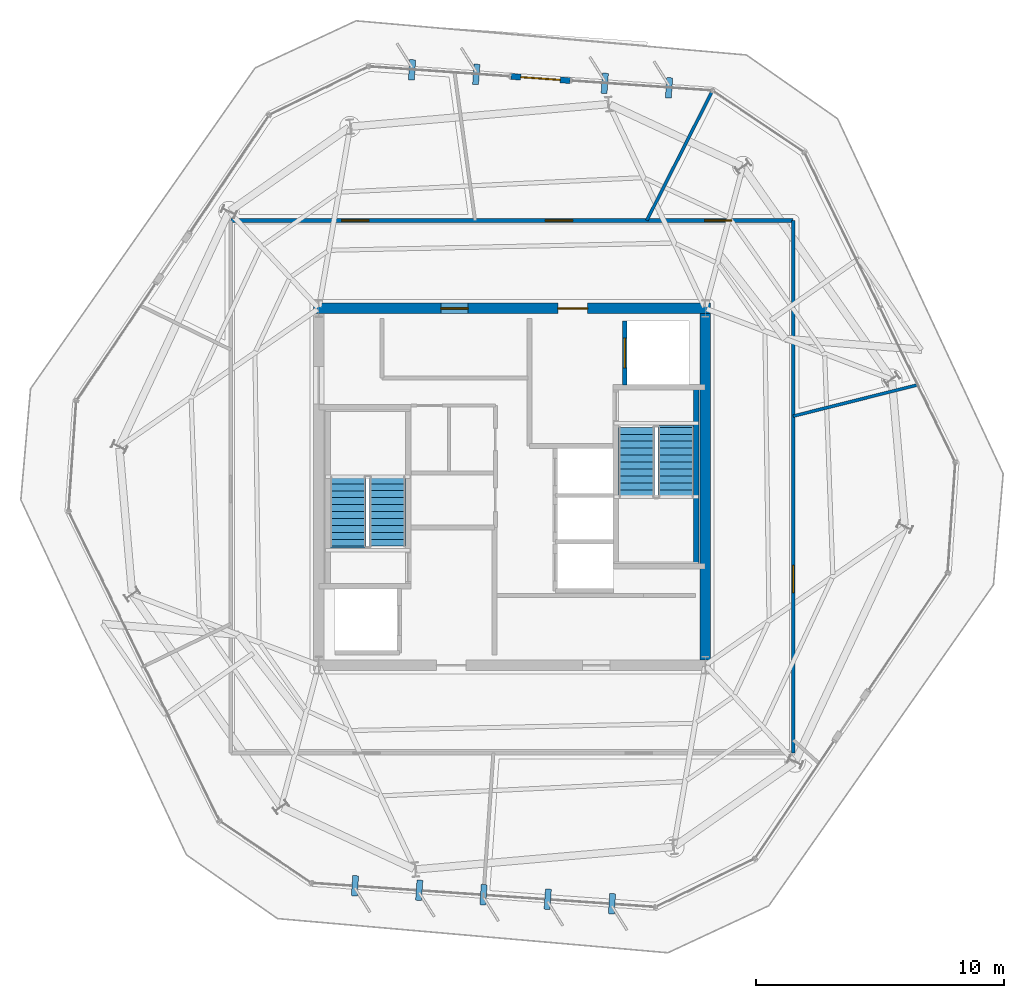
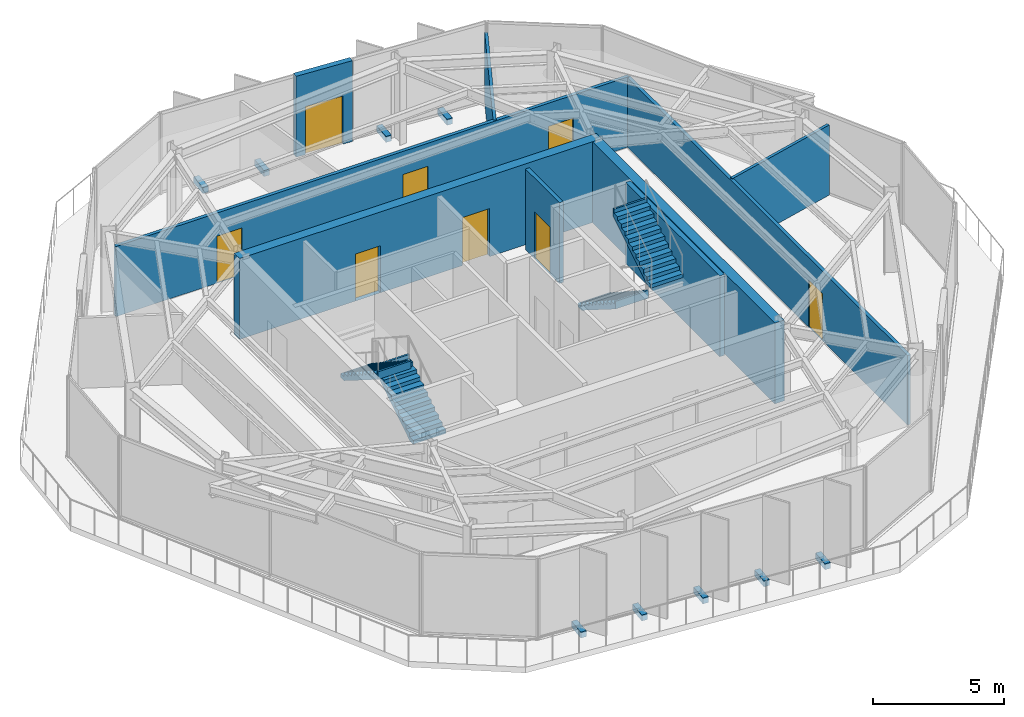
# One storey, part 9 of 12: 9 discrete accessories, 9 walls, 8 doors, 4 stair flights, 8 openings, 2 elements without a shape of their own.
"""IFC4 building model written with IfcOpenShell, lengths in metres."""

from ifc_helpers import new_model, si_unit, direction, frame, frame_2d, origin, origin_2d, place, context, subcontext, project, spatial, polyline, rectangle, outline, extrude, material, layer, layer_set, type_object, element, fill, aggregate, save


model = new_model("IFC4")

# Units and contexts
model_context = context("Model", 3, precision=1e-05, world=origin(), true_north=direction((0.0, 1.0)))
body_context = subcontext(model_context, "Body", "Model", "MODEL_VIEW")
ifc_project = project(units=[si_unit("LENGTHUNIT", "METRE"), si_unit("AREAUNIT", "SQUARE_METRE"), si_unit("VOLUMEUNIT", "CUBIC_METRE"), si_unit("PLANEANGLEUNIT", "RADIAN"), si_unit("MASSUNIT", "GRAM", prefix="KILO")], contexts=[model_context])

# Site, building, storey
site_placement = place(None, origin())
site = spatial("IfcSite", under=ifc_project, at=site_placement, CompositionType="ELEMENT")
building_placement = place(site_placement, origin())
building = spatial("IfcBuilding", under=site, at=building_placement, Name="Kranzbogen Civic Tower", CompositionType="ELEMENT")
storey_placement = place(building_placement, frame((0.0, 0.0, 250.199951171875)))
storey = spatial("IfcBuildingStorey", under=building, at=storey_placement, Name="L60", CompositionType="ELEMENT", Elevation=250.199951171875)

# Wall, openings, doors
ifc_material_1 = material(Name="Double-Stud Acoustic Gypsum Partition")
ifc_layer_1 = layer(ifc_material_1, 0.14990234375, Name="Double-Stud Acoustic Gypsum Partition")
ifc_layer_set_1 = layer_set([ifc_layer_1], Name="Double-Stud Acoustic Gypsum Partition")
wall_type_1 = type_object("IfcWallType", Name="Acoustic Corridor and Clinical Partition 150 mm", PredefinedType="PARTITIONING", material=ifc_layer_set_1)
wall_1_placement = place(storey_placement, frame((13.64990234375, 35.75, 0.0), z_axis=(0.0, 0.0, 1.0), x_axis=(1.0, 0.0, 0.0)))
wall_1 = element("IfcWall", 1, at=wall_1_placement, inside=storey, type_object=wall_type_1, Name="L60 corridor partition 01", PredefinedType="PARTITIONING", context=body_context, shape_type="SweptSolid", body=[
    extrude(rectangle(XDim=22.7001953125, YDim=0.14990234375, at=frame_2d((11.35009765625, 0.0))), origin(), (0.0, 0.0, 1.0), 3.280029296875),
])
opening_1_placement = place(wall_1_placement, frame((19.1220703125, 0.0, 0.0)))
opening_1 = element("IfcOpeningElement", 2, at=opening_1_placement, cuts=wall_1, Name="Opening D-COR60", PredefinedType="OPENING", context=body_context, shape_type="SweptSolid", body=[
    extrude(rectangle(XDim=1.10009765625, YDim=2.199951171875, at=frame_2d((0.550048828125, 1.10009765625))), frame((0.0, 0.0849609375, 0.0), z_axis=(0.0, -1.0, 0.0), x_axis=(1.0, 0.0, 0.0)), (0.0, 0.0, 1.0), 0.169921875),
])
opening_2_placement = place(wall_1_placement, frame((12.697998046875, 0.0, 0.0)))
opening_2 = element("IfcOpeningElement", 3, at=opening_2_placement, cuts=wall_1, Name="Opening D-COR60", PredefinedType="OPENING", context=body_context, shape_type="SweptSolid", body=[
    extrude(rectangle(XDim=1.10009765625, YDim=2.199951171875, at=frame_2d((0.550048828125, 1.10009765625))), frame((0.0, 0.0849609375, 0.0), z_axis=(0.0, -1.0, 0.0), x_axis=(1.0, 0.0, 0.0)), (0.0, 0.0, 1.0), 0.169921875),
])
opening_3_placement = place(wall_1_placement, frame((4.468994140625, 0.0, 0.0)))
opening_3 = element("IfcOpeningElement", 4, at=opening_3_placement, cuts=wall_1, Name="Opening D-COR60", PredefinedType="OPENING", context=body_context, shape_type="SweptSolid", body=[
    extrude(rectangle(XDim=1.10009765625, YDim=2.199951171875, at=frame_2d((0.550048828125, 1.10009765625))), frame((0.0, 0.0849609375, 0.0), z_axis=(0.0, -1.0, 0.0), x_axis=(1.0, 0.0, 0.0)), (0.0, 0.0, 1.0), 0.169921875),
])
ifc_material_2 = material(Name="Oak Timber and Fire Core", Category="wood")
door_type_1 = type_object("IfcDoorType", Name="Corridor Acoustic Fire Door 1100x2200", OperationType="NOTDEFINED", PredefinedType="DOOR", material=ifc_material_2)
door_1_placement = place(opening_1_placement, origin())
door_1 = element("IfcDoor", 5, at=door_1_placement, inside=storey, type_object=door_type_1, Name="L60 Citizen Services Kiosk door", OperationType="SINGLE_SWING_LEFT", OverallHeight=2.199951171875, OverallWidth=1.10009765625, PredefinedType="DOOR", context=body_context, shape_type="SweptSolid", body=[
    extrude(rectangle(XDim=1.10009765625, YDim=2.199951171875, at=frame_2d((0.550048828125, 1.10009765625))), frame((0.0, 0.02490234375, 0.0), z_axis=(0.0, -1.0, 0.0), x_axis=(1.0, 0.0, 0.0)), (0.0, 0.0, 1.0), 0.050048828125),
])
fill(opening_1, door_1)
door_2_placement = place(opening_2_placement, origin())
door_2 = element("IfcDoor", 6, at=door_2_placement, inside=storey, type_object=door_type_1, Name="L60 Municipal Exhibition Showroom door", OperationType="SINGLE_SWING_RIGHT", OverallHeight=2.199951171875, OverallWidth=1.10009765625, PredefinedType="DOOR", context=body_context, shape_type="SweptSolid", body=[
    extrude(rectangle(XDim=1.10009765625, YDim=2.199951171875, at=frame_2d((0.550048828125, 1.10009765625))), frame((0.0, 0.02490234375, 0.0), z_axis=(0.0, -1.0, 0.0), x_axis=(1.0, 0.0, 0.0)), (0.0, 0.0, 1.0), 0.050048828125),
])
fill(opening_2, door_2)
door_3_placement = place(opening_3_placement, origin())
door_3 = element("IfcDoor", 7, at=door_3_placement, inside=storey, type_object=door_type_1, Name="L60 Licensing Information Kiosk door", OperationType="SINGLE_SWING_LEFT", OverallHeight=2.199951171875, OverallWidth=1.10009765625, PredefinedType="DOOR", context=body_context, shape_type="SweptSolid", body=[
    extrude(rectangle(XDim=1.10009765625, YDim=2.199951171875, at=frame_2d((0.550048828125, 1.10009765625))), frame((0.0, 0.02490234375, 0.0), z_axis=(0.0, -1.0, 0.0), x_axis=(1.0, 0.0, 0.0)), (0.0, 0.0, 1.0), 0.050048828125),
])
fill(opening_3, door_3)

# Wall, opening, door
wall_2_placement = place(storey_placement, frame((36.35009765625, 35.75, 0.0), z_axis=(0.0, 0.0, 1.0), x_axis=(0.0, -1.0, 0.0)))
wall_2 = element("IfcWall", 8, at=wall_2_placement, inside=storey, type_object=wall_type_1, Name="L60 corridor partition 02", PredefinedType="PARTITIONING", context=body_context, shape_type="SweptSolid", body=[
    extrude(rectangle(XDim=21.5, YDim=0.14990234375, at=frame_2d((10.75, 0.0))), origin(), (0.0, 0.0, 1.0), 3.25),
])
opening_4_placement = place(wall_2_placement, frame((13.9189453125, 0.0, 0.0)))
opening_4 = element("IfcOpeningElement", 9, at=opening_4_placement, cuts=wall_2, Name="Opening D-COR60", PredefinedType="OPENING", context=body_context, shape_type="SweptSolid", body=[
    extrude(rectangle(XDim=1.10009765625, YDim=2.199951171875, at=frame_2d((0.550048828125, 1.10009765625))), frame((0.0, 0.0849609375, 0.0), z_axis=(0.0, -1.0, 0.0), x_axis=(1.0, 0.0, 0.0)), (0.0, 0.0, 1.0), 0.169921875),
])
door_4_placement = place(opening_4_placement, origin())
door_4 = element("IfcDoor", 10, at=door_4_placement, inside=storey, type_object=door_type_1, Name="L60 Protocol Dining Room door", OperationType="SINGLE_SWING_RIGHT", OverallHeight=2.199951171875, OverallWidth=1.10009765625, PredefinedType="DOOR", context=body_context, shape_type="SweptSolid", body=[
    extrude(rectangle(XDim=1.10009765625, YDim=2.199951171875, at=frame_2d((0.550048828125, 1.10009765625))), frame((0.0, 0.02490234375, 0.0), z_axis=(0.0, -1.0, 0.0), x_axis=(1.0, 0.0, 0.0)), (0.0, 0.0, 1.0), 0.050048828125),
])
fill(opening_4, door_4)

# Walls
ifc_material_3 = material(Name="Insulated Metal-Stud Gypsum Partition")
ifc_layer_2 = layer(ifc_material_3, 0.125, Name="Insulated Metal-Stud Gypsum Partition")
ifc_layer_set_2 = layer_set([ifc_layer_2], Name="Insulated Metal-Stud Gypsum Partition")
wall_type_2 = type_object("IfcWallType", Name="Acoustic Inter-Room Partition 125 mm", PredefinedType="PARTITIONING", material=ifc_layer_set_2)
wall_3_placement = place(storey_placement, frame((36.35009765625, 27.85205078125, 0.0), z_axis=(0.0, 0.0, 1.0), x_axis=(0.969874952969, 0.243603316078, 0.0)))
element("IfcWall", 11, at=wall_3_placement, inside=storey, type_object=wall_type_2, Name="L60 radial room partition 06", PredefinedType="PARTITIONING", context=body_context, shape_type="SweptSolid", body=[
    extrude(rectangle(XDim=5.164306640625, YDim=0.125, at=frame_2d((2.58203125, 0.0))), origin(), (0.0, 0.0, 1.0), 3.280029296875),
])
wall_4_placement = place(storey_placement, frame((30.44091796875, 35.75, 0.0), z_axis=(0.0, 0.0, 1.0), x_axis=(0.451573228001, 0.892234061081, 0.0)))
element("IfcWall", 12, at=wall_4_placement, inside=storey, type_object=wall_type_2, Name="L60 radial room partition 07", PredefinedType="PARTITIONING", context=body_context, shape_type="SweptSolid", body=[
    extrude(rectangle(XDim=5.861572265625, YDim=0.125, at=frame_2d((2.9306640625, 0.0))), origin(), (0.0, 0.0, 1.0), 3.280029296875),
])

# Wall, openings, doors
ifc_material_4 = material(Name="Concrete C45/55", Category="concrete")
ifc_layer_3 = layer(ifc_material_4, 0.419921875, Name="Concrete C45/55")
ifc_layer_set_3 = layer_set([ifc_layer_3], Name="Concrete C45/55")
wall_type_3 = type_object("IfcWallType", Name="Central Core Shear Wall 420 mm", PredefinedType="SHEAR", material=ifc_layer_set_3)
wall_5_placement = place(storey_placement, frame((33.010009765625, 32.199951171875, 0.0), z_axis=(0.0, 0.0, 1.0), x_axis=(-1.0, 0.0, 0.0)))
wall_5 = element("IfcWall", 13, at=wall_5_placement, inside=storey, type_object=wall_type_3, Name="L60 central core North shear wall", PredefinedType="SHEAR", context=body_context, shape_type="SweptSolid", body=[
    extrude(rectangle(XDim=16.02001953125, YDim=0.419921875, at=frame_2d((8.010009765625, 0.0))), origin(), (0.0, 0.0, 1.0), 3.780029296875),
])
opening_5_placement = place(wall_5_placement, frame((4.9599609375, 0.0, 0.0)))
opening_5 = element("IfcOpeningElement", 14, at=opening_5_placement, cuts=wall_5, Name="Opening D-EX120", PredefinedType="OPENING", context=body_context, shape_type="SweptSolid", body=[
    extrude(rectangle(XDim=1.199951171875, YDim=2.25, at=frame_2d((0.60009765625, 1.125))), frame((0.0, 0.219970703125, 0.0), z_axis=(0.0, -1.0, 0.0), x_axis=(1.0, 0.0, 0.0)), (0.0, 0.0, 1.0), 0.43994140625),
])
opening_6_placement = place(wall_5_placement, frame((9.784912109375, 0.0, 0.0)))
opening_6 = element("IfcOpeningElement", 15, at=opening_6_placement, cuts=wall_5, Name="Opening D-COR60", PredefinedType="OPENING", context=body_context, shape_type="SweptSolid", body=[
    extrude(rectangle(XDim=1.10009765625, YDim=2.199951171875, at=frame_2d((0.550048828125, 1.10009765625))), frame((0.0, 0.219970703125, 0.0), z_axis=(0.0, -1.0, 0.0), x_axis=(1.0, 0.0, 0.0)), (0.0, 0.0, 1.0), 0.43994140625),
])
door_5_placement = place(opening_6_placement, origin())
door_5 = element("IfcDoor", 16, at=door_5_placement, inside=storey, type_object=door_type_1, Name="L60 DAT1 comms room door", OperationType="SINGLE_SWING_LEFT", OverallHeight=2.199951171875, OverallWidth=1.10009765625, PredefinedType="DOOR", context=body_context, shape_type="SweptSolid", body=[
    extrude(rectangle(XDim=1.10009765625, YDim=2.199951171875, at=frame_2d((0.550048828125, 1.10009765625))), frame((0.0, 0.02490234375, 0.0), z_axis=(0.0, -1.0, 0.0), x_axis=(1.0, 0.0, 0.0)), (0.0, 0.0, 1.0), 0.050048828125),
])
fill(opening_6, door_5)
ifc_material_5 = material(Name="Steel S355", Category="steel")
door_type_2 = type_object("IfcDoorType", Name="Exit Passageway Fire Door 1200x2250", OperationType="NOTDEFINED", PredefinedType="DOOR", material=ifc_material_5)
door_6_placement = place(opening_5_placement, origin())
door_6 = element("IfcDoor", 17, at=door_6_placement, inside=storey, type_object=door_type_2, Name="L60 East firefighting lobby corridor door", OperationType="SINGLE_SWING_RIGHT", OverallHeight=2.25, OverallWidth=1.199951171875, PredefinedType="DOOR", context=body_context, shape_type="SweptSolid", body=[
    extrude(rectangle(XDim=1.199951171875, YDim=2.25, at=frame_2d((0.60009765625, 1.125))), frame((0.0, 0.02490234375, 0.0), z_axis=(0.0, -1.0, 0.0), x_axis=(1.0, 0.0, 0.0)), (0.0, 0.0, 1.0), 0.050048828125),
])
fill(opening_5, door_6)

# Walls
wall_6_placement = place(storey_placement, frame((32.800048828125, 18.010009765625, 0.0), z_axis=(0.0, 0.0, 1.0), x_axis=(0.0, 1.0, 0.0)))
element("IfcWall", 18, at=wall_6_placement, inside=storey, type_object=wall_type_3, Name="L60 central core East shear wall", PredefinedType="SHEAR", context=body_context, shape_type="SweptSolid", body=[
    extrude(rectangle(XDim=13.97998046875, YDim=0.419921875, at=frame_2d((6.989990234375, 0.0))), origin(), (0.0, 0.0, 1.0), 3.780029296875),
])
ifc_layer_4 = layer(ifc_material_4, 0.219970703125, Name="Concrete C45/55")
ifc_layer_set_4 = layer_set([ifc_layer_4], Name="Concrete C45/55")
wall_type_4 = type_object("IfcWallType", Name="Core Internal Stair Structural Wall 220 mm", PredefinedType="SOLIDWALL", material=ifc_layer_set_4)
wall_7_placement = place(storey_placement, frame((32.445068359375, 29.010009765625, 0.0), z_axis=(0.0, 0.0, 1.0), x_axis=(0.0, -1.0, 0.0)))
element("IfcWall", 19, at=wall_7_placement, inside=storey, type_object=wall_type_4, Name="L60 ST-T2 East structural stair wall", PredefinedType="SOLIDWALL", context=body_context, shape_type="SweptSolid", body=[
    extrude(rectangle(XDim=7.219970703125, YDim=0.219970703125, at=frame_2d((3.60986328125, 0.0))), origin(), (0.0, 0.0, 1.0), 3.780029296875),
])

# Wall, opening, door
ifc_material_6 = material(Name="Gypsum Fireboard Shaftliner")
ifc_layer_5 = layer(ifc_material_6, 0.175048828125, Name="Gypsum Fireboard Shaftliner")
ifc_layer_set_5 = layer_set([ifc_layer_5], Name="Gypsum Fireboard Shaftliner")
wall_type_5 = type_object("IfcWallType", Name="Fire-Rated Lift and Service Shaft Wall 175 mm", PredefinedType="PARTITIONING", material=ifc_layer_set_5)
wall_8_placement = place(storey_placement, frame((29.550048828125, 29.10009765625, 0.0), z_axis=(0.0, 0.0, 1.0), x_axis=(0.0, 1.0, 0.0)))
wall_8 = element("IfcWall", 20, at=wall_8_placement, inside=storey, type_object=wall_type_5, Name="L60 lift FF-02 landing wall", PredefinedType="PARTITIONING", context=body_context, shape_type="SweptSolid", body=[
    extrude(rectangle(XDim=2.599853515625, YDim=0.175048828125, at=frame_2d((1.2998046875, 0.0))), origin(), (0.0, 0.0, 1.0), 3.780029296875),
])
opening_7_placement = place(wall_8_placement, frame((0.699951171875, 0.0, 0.0)))
opening_7 = element("IfcOpeningElement", 21, at=opening_7_placement, cuts=wall_8, Name="Opening LD-FF-02", PredefinedType="OPENING", context=body_context, shape_type="SweptSolid", body=[
    extrude(rectangle(XDim=1.199951171875, YDim=2.199951171875, at=frame_2d((0.60009765625, 1.10009765625))), frame((0.0, 0.09765625, 0.0), z_axis=(0.0, -1.0, 0.0), x_axis=(1.0, 0.0, 0.0)), (0.0, 0.0, 1.0), 0.195068359375),
])
ifc_material_7 = material(Name="Pale Anodised Aluminium", Category="aluminium")
door_type_3 = type_object("IfcDoorType", Name="Firefighting and Stretcher Lift Sliding Landing Door 1200x2200", OperationType="DOUBLE_DOOR_SLIDING", PredefinedType="DOOR", material=ifc_material_7)
door_7_placement = place(opening_7_placement, origin())
door_7 = element("IfcDoor", 22, at=door_7_placement, inside=storey, type_object=door_type_3, Name="L60 lift FF-02 sliding landing door", OperationType="DOUBLE_DOOR_SLIDING", OverallHeight=2.199951171875, OverallWidth=1.199951171875, PredefinedType="DOOR", context=body_context, shape_type="SweptSolid", body=[
    extrude(rectangle(XDim=1.199951171875, YDim=2.199951171875, at=frame_2d((0.60009765625, 1.10009765625))), frame((0.0, 0.02490234375, 0.0), z_axis=(0.0, -1.0, 0.0), x_axis=(1.0, 0.0, 0.0)), (0.0, 0.0, 1.0), 0.050048828125),
])
fill(opening_7, door_7)

ifc_layer_6 = layer(ifc_material_7, 0.239990234375, Name="Pale Anodised Aluminium")
ifc_layer_set_6 = layer_set([ifc_layer_6], Name="Pale Anodised Aluminium")
wall_type_6 = type_object("IfcWallType", Name="Insulated Aluminium Facade Portal Wall 240 mm", PredefinedType="STANDARD", material=ifc_layer_set_6)
wall_9_placement = place(storey_placement, frame((27.35009765625, 41.39697265625, 0.0), z_axis=(0.0, 0.0, 1.0), x_axis=(-0.99754775803, 0.069989073784, 0.0)))
wall_9 = element("IfcWall", 23, at=wall_9_placement, inside=storey, type_object=wall_type_6, Name="L60 exterior entrance portal wall 1", PredefinedType="STANDARD", context=body_context, shape_type="SweptSolid", body=[
    extrude(rectangle(XDim=2.39990234375, YDim=0.239990234375, at=frame_2d((1.199951171875, 0.0))), origin(), (0.0, 0.0, 1.0), 3.780029296875),
])
opening_8_placement = place(wall_9_placement, frame((0.39990234375, 0.0, 0.0)))
opening_8 = element("IfcOpeningElement", 24, at=opening_8_placement, cuts=wall_9, Name="Opening D-TER", PredefinedType="OPENING", context=body_context, shape_type="SweptSolid", body=[
    extrude(rectangle(XDim=1.60009765625, YDim=2.25, at=frame_2d((0.800048828125, 1.125))), frame((0.0, 0.1298828125, 0.0), z_axis=(0.0, -1.0, 0.0), x_axis=(1.0, 0.0, 0.0)), (0.0, 0.0, 1.0), 0.260009765625),
])
ifc_material_8 = material(Name="Anodised Bronze and Triple Glass", Category="glass")
door_type_4 = type_object("IfcDoorType", Name="Glazed Terrace and Balcony Double Door 1600x2250", OperationType="DOUBLE_DOOR_SINGLE_SWING", PredefinedType="DOOR", material=ifc_material_8)
door_8_placement = place(opening_8_placement, frame((1.60009765625, 0.0, 0.0), z_axis=(0.0, 0.0, 1.0), x_axis=(-1.0, 0.0, 0.0)))
door_8 = element("IfcDoor", 25, at=door_8_placement, inside=storey, type_object=door_type_4, Name="L60 spiral terrace access door L60-ST", OperationType="DOUBLE_DOOR_SINGLE_SWING", OverallHeight=2.25, OverallWidth=1.60009765625, PredefinedType="DOOR", context=body_context, shape_type="SweptSolid", body=[
    extrude(rectangle(XDim=1.60009765625, YDim=2.25, at=frame_2d((0.800048828125, 1.125))), frame((0.0, 0.02490234375, 0.0), z_axis=(0.0, -1.0, 0.0), x_axis=(1.0, 0.0, 0.0)), (0.0, 0.0, 1.0), 0.050048828125),
])
fill(opening_8, door_8)

# Stair, stair flights
ifc_material_9 = material(Name="Precast concrete C40/50", Category="concrete")
stair_type_1 = type_object("IfcStairType", Name="Tower Core Pressurized Dogleg Stair 1450", PredefinedType="HALF_TURN_STAIR", material=ifc_material_9)
stair_1_placement = place(storey_placement, origin())
stair_1 = element("IfcStair", 26, at=stair_1_placement, inside=storey, type_object=stair_type_1, Name="L60 Tower Core Pressurized Stair 1", PredefinedType="HALF_TURN_STAIR")
stair_flight_type = type_object("IfcStairFlightType", Name="Precast Concrete Stair Flight R180", PredefinedType="STRAIGHT", material=ifc_material_9)
stair_flight_1_placement = place(storey_placement, frame((19.97509765625, 22.60009765625, 0.0), z_axis=(0.0, 0.0, 1.0), x_axis=(0.0, 1.0, 0.0)))
stair_flight_1 = element("IfcStairFlight", 27, at=stair_flight_1_placement, type_object=stair_flight_type, Name="ST-T1 flight 1", NumberOfRisers=11, NumberOfTreads=10, PredefinedType="STRAIGHT", RiserHeight=0.181818182, TreadLength=0.28, context=body_context, shape_type="SweptSolid", body=[
    extrude(outline(polyline([(0.0, 0.0), (0.0, 0.181884765625), (0.280029296875, 0.181884765625), (0.280029296875, 0.363525390625), (0.56005859375, 0.363525390625), (0.56005859375, 0.54541015625), (0.840087890625, 0.54541015625), (0.840087890625, 0.727294921875), (1.1201171875, 0.727294921875), (1.1201171875, 0.9091796875), (1.39990234375, 0.9091796875), (1.39990234375, 1.0908203125), (1.679931640625, 1.0908203125), (1.679931640625, 1.272705078125), (1.9599609375, 1.272705078125), (1.9599609375, 1.45458984375), (2.239990234375, 1.45458984375), (2.239990234375, 1.636474609375), (2.52001953125, 1.636474609375), (2.52001953125, 1.818115234375), (2.800048828125, 1.818115234375), (2.800048828125, 2.0), (2.880126953125, 2.0), (2.880126953125, 1.639404296875), (0.275146484375, 0.0), (0.0, 0.0)])), frame((0.0, 0.72509765625, 0.0), z_axis=(0.0, -1.0, 0.0), x_axis=(1.0, 0.0, 0.0)), (0.0, 0.0, 1.0), 1.449951171875),
])
stair_flight_2_placement = place(storey_placement, frame((18.375, 25.39990234375, 2.0), z_axis=(0.0, 0.0, 1.0), x_axis=(0.0, -1.0, 0.0)))
stair_flight_2 = element("IfcStairFlight", 28, at=stair_flight_2_placement, type_object=stair_flight_type, Name="ST-T1 flight 2", NumberOfRisers=11, NumberOfTreads=10, PredefinedType="STRAIGHT", RiserHeight=0.181818182, TreadLength=0.28, context=body_context, shape_type="SweptSolid", body=[
    extrude(outline(polyline([(0.0, 0.0), (0.0, 0.181884765625), (0.280029296875, 0.181884765625), (0.280029296875, 0.363525390625), (0.56005859375, 0.363525390625), (0.56005859375, 0.54541015625), (0.840087890625, 0.54541015625), (0.840087890625, 0.727294921875), (1.1201171875, 0.727294921875), (1.1201171875, 0.9091796875), (1.39990234375, 0.9091796875), (1.39990234375, 1.0908203125), (1.679931640625, 1.0908203125), (1.679931640625, 1.272705078125), (1.9599609375, 1.272705078125), (1.9599609375, 1.45458984375), (2.239990234375, 1.45458984375), (2.239990234375, 1.636474609375), (2.52001953125, 1.636474609375), (2.52001953125, 1.818115234375), (2.800048828125, 1.818115234375), (2.800048828125, 2.0), (2.880126953125, 2.0), (2.880126953125, 1.639404296875), (0.275146484375, 0.0), (0.0, 0.0)])), frame((0.0, 0.72509765625, 0.0), z_axis=(0.0, -1.0, 0.0), x_axis=(1.0, 0.0, 0.0)), (0.0, 0.0, 1.0), 1.449951171875),
])
aggregate(stair_1, [stair_flight_1, stair_flight_2])

stair_type_2 = type_object("IfcStairType", Name="Tower Core Secondary Dogleg Stair 1450", PredefinedType="HALF_TURN_STAIR", material=ifc_material_9)
stair_2_placement = place(storey_placement, origin())
stair_2 = element("IfcStair", 29, at=stair_2_placement, inside=storey, type_object=stair_type_2, Name="L60 Tower Core Pressurized Stair 2", PredefinedType="HALF_TURN_STAIR")
stair_flight_3_placement = place(storey_placement, frame((30.02490234375, 27.39990234375, 0.0), z_axis=(0.0, 0.0, 1.0), x_axis=(0.0, -1.0, 0.0)))
stair_flight_3 = element("IfcStairFlight", 30, at=stair_flight_3_placement, type_object=stair_flight_type, Name="ST-T2 flight 1", NumberOfRisers=11, NumberOfTreads=10, PredefinedType="STRAIGHT", RiserHeight=0.181818182, TreadLength=0.28, context=body_context, shape_type="SweptSolid", body=[
    extrude(outline(polyline([(0.0, 0.0), (0.0, 0.181884765625), (0.280029296875, 0.181884765625), (0.280029296875, 0.363525390625), (0.56005859375, 0.363525390625), (0.56005859375, 0.54541015625), (0.840087890625, 0.54541015625), (0.840087890625, 0.727294921875), (1.1201171875, 0.727294921875), (1.1201171875, 0.9091796875), (1.39990234375, 0.9091796875), (1.39990234375, 1.0908203125), (1.679931640625, 1.0908203125), (1.679931640625, 1.272705078125), (1.9599609375, 1.272705078125), (1.9599609375, 1.45458984375), (2.239990234375, 1.45458984375), (2.239990234375, 1.636474609375), (2.52001953125, 1.636474609375), (2.52001953125, 1.818115234375), (2.800048828125, 1.818115234375), (2.800048828125, 2.0), (2.880126953125, 2.0), (2.880126953125, 1.639404296875), (0.275146484375, 0.0), (0.0, 0.0)])), frame((0.0, 0.72509765625, 0.0), z_axis=(0.0, -1.0, 0.0), x_axis=(1.0, 0.0, 0.0)), (0.0, 0.0, 1.0), 1.449951171875),
])
stair_flight_4_placement = place(storey_placement, frame((31.625, 24.60009765625, 2.0), z_axis=(0.0, 0.0, 1.0), x_axis=(0.0, 1.0, 0.0)))
stair_flight_4 = element("IfcStairFlight", 31, at=stair_flight_4_placement, type_object=stair_flight_type, Name="ST-T2 flight 2", NumberOfRisers=11, NumberOfTreads=10, PredefinedType="STRAIGHT", RiserHeight=0.181818182, TreadLength=0.28, context=body_context, shape_type="SweptSolid", body=[
    extrude(outline(polyline([(0.0, 0.0), (0.0, 0.181884765625), (0.280029296875, 0.181884765625), (0.280029296875, 0.363525390625), (0.56005859375, 0.363525390625), (0.56005859375, 0.54541015625), (0.840087890625, 0.54541015625), (0.840087890625, 0.727294921875), (1.1201171875, 0.727294921875), (1.1201171875, 0.9091796875), (1.39990234375, 0.9091796875), (1.39990234375, 1.0908203125), (1.679931640625, 1.0908203125), (1.679931640625, 1.272705078125), (1.9599609375, 1.272705078125), (1.9599609375, 1.45458984375), (2.239990234375, 1.45458984375), (2.239990234375, 1.636474609375), (2.52001953125, 1.636474609375), (2.52001953125, 1.818115234375), (2.800048828125, 1.818115234375), (2.800048828125, 2.0), (2.880126953125, 2.0), (2.880126953125, 1.639404296875), (0.275146484375, 0.0), (0.0, 0.0)])), frame((0.0, 0.72509765625, 0.0), z_axis=(0.0, -1.0, 0.0), x_axis=(1.0, 0.0, 0.0)), (0.0, 0.0, 1.0), 1.449951171875),
])
aggregate(stair_2, [stair_flight_3, stair_flight_4])

# Discrete accessories
discrete_accessory_type = type_object("IfcDiscreteAccessoryType", Name="Structural Curtain-Wall Fin Support Bracket", PredefinedType="BRACKET", material=ifc_material_5)
for number, where, z_axis, x_axis, name in (
    (32, (31.339111328125, 41.10693359375, -0.25), (0.0, 0.0, 1.0), (0.069756473744, 0.99756405026, 0.0), "L60 facade fin support bracket F1-1"),
    (33, (28.7451171875, 41.2880859375, -0.25), (0.0, 0.0, 1.0), (0.069756473744, 0.99756405026, 0.0), "L60 facade fin support bracket F1-2"),
    (34, (23.55810546875, 41.65087890625, -0.25), (0.0, 0.0, 1.0), (0.069756473744, 0.99756405026, 0.0), "L60 facade fin support bracket F1-4"),
    (35, (20.964111328125, 41.8330078125, -0.25), (0.0, 0.0, 1.0), (0.069756473744, 0.99756405026, 0.0), "L60 facade fin support bracket F1-5"),
    (36, (18.660888671875, 8.89306640625, -0.25), (0.0, 0.0, 1.0), (-0.069756473744, -0.99756405026, 0.0), "L60 facade fin support bracket F4-1"),
    (37, (21.2548828125, 8.7119140625, -0.25), (0.0, 0.0, 1.0), (-0.069756473744, -0.99756405026, 0.0), "L60 facade fin support bracket F4-2"),
    (38, (23.847900390625, 8.530029296875, -0.25), (0.0, 0.0, 1.0), (-0.069756473744, -0.99756405026, 0.0), "L60 facade fin support bracket F4-3"),
    (39, (26.44189453125, 8.34912109375, -0.25), (0.0, 0.0, 1.0), (-0.069756473744, -0.99756405026, 0.0), "L60 facade fin support bracket F4-4"),
    (40, (29.035888671875, 8.1669921875, -0.25), (0.0, 0.0, 1.0), (-0.069756473744, -0.99756405026, 0.0), "L60 facade fin support bracket F4-5"),
):
    element("IfcDiscreteAccessory", number, at=place(storey_placement, frame(where, z_axis=z_axis, x_axis=x_axis)), inside=storey, type_object=discrete_accessory_type, Name=name, PredefinedType="BRACKET", context=body_context, shape_type="SweptSolid", body=[
        extrude(rectangle(XDim=0.820068359375, YDim=0.239990234375, at=origin_2d()), origin(), (0.0, 0.0, 1.0), 0.280029296875),
    ])

save(model, "model.ifc")
